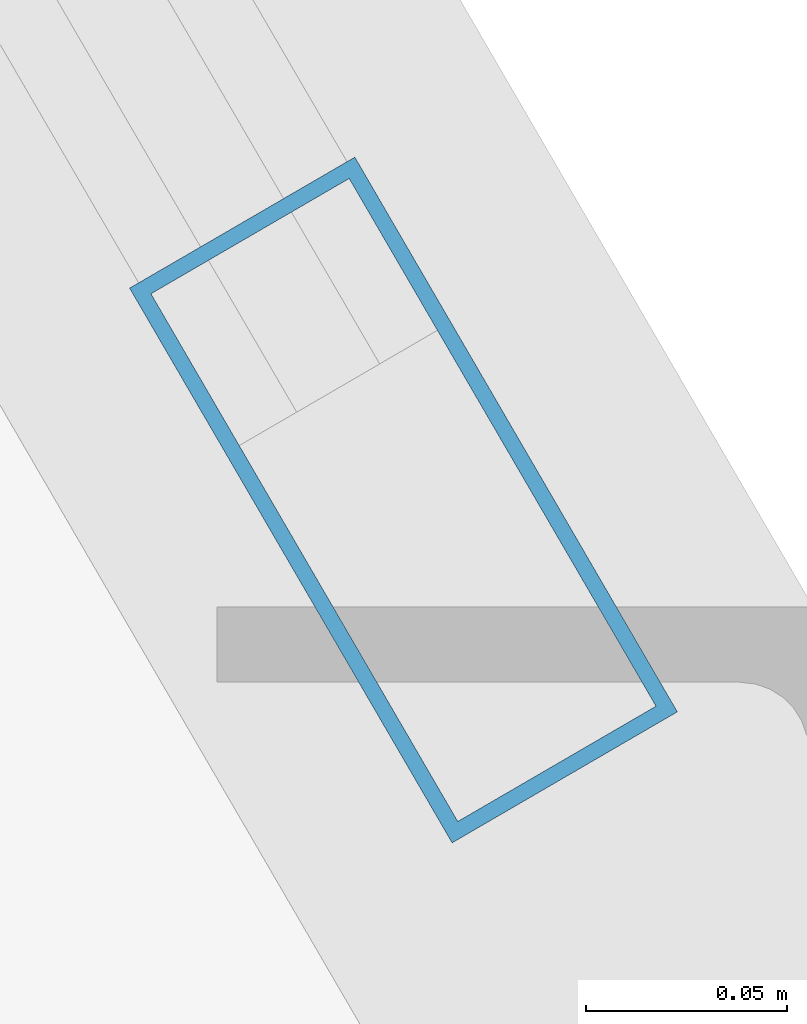
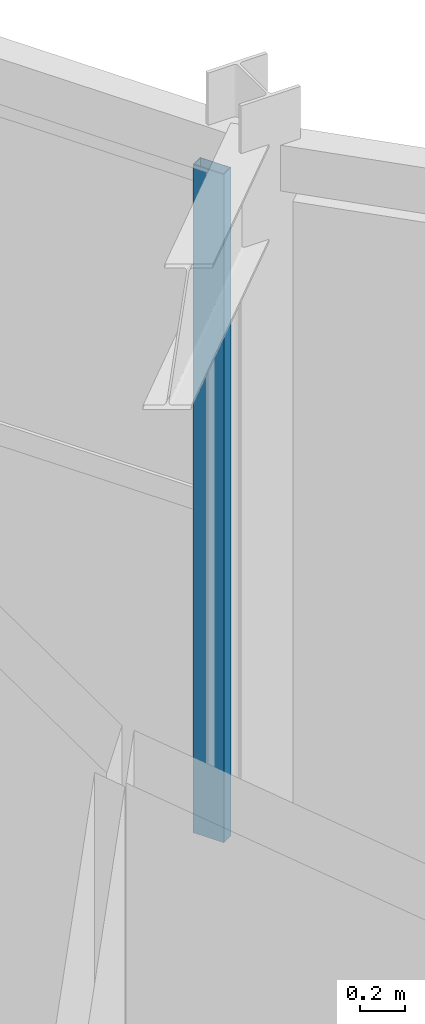
# One storey, part 31 of 147: 1 member, 1 element without a shape of its own.
"""IFC4 building model written with IfcOpenShell, lengths in metres."""

from ifc_helpers import new_model, si_unit, direction, frame, origin, origin_2d, place, context, subcontext, project, spatial, hollow_rectangle, extrude, material, material_profile, profile_set, type_object, element, aggregate, save


model = new_model("IFC4")

# Units and contexts
model_context = context("Model", 3, precision=1e-05, world=origin(), true_north=direction((0.0, 1.0)))
body_context = subcontext(model_context, "Body", "Model", "MODEL_VIEW")
ifc_project = project(units=[si_unit("LENGTHUNIT", "METRE"), si_unit("AREAUNIT", "SQUARE_METRE"), si_unit("VOLUMEUNIT", "CUBIC_METRE"), si_unit("PLANEANGLEUNIT", "RADIAN"), si_unit("MASSUNIT", "GRAM", prefix="KILO")], contexts=[model_context])

# Site, building, storey
site_placement = place(None, origin())
site = spatial("IfcSite", under=ifc_project, at=site_placement, CompositionType="ELEMENT")
building_placement = place(site_placement, origin())
building = spatial("IfcBuilding", under=site, at=building_placement, Name="Karori Crest Natural Sciences Institute", CompositionType="ELEMENT")
storey_placement = place(building_placement, frame((0.0, 0.0, 9.10009765625)))
storey = spatial("IfcBuildingStorey", under=building, at=storey_placement, Name="L02", CompositionType="ELEMENT", Elevation=9.10009765625)

# Curtain wall, member
ifc_material = material(Name="Anodised architectural aluminium 6063-T6", Category="aluminium")
curtain_wall_type = type_object("IfcCurtainWallType", Name="CWT-15", PredefinedType="NOTDEFINED", material=ifc_material)
curtain_wall_placement = place(storey_placement, origin())
curtain_wall = element("IfcCurtainWall", 1, at=curtain_wall_placement, inside=storey, type_object=curtain_wall_type, Name="Curtain wall CW-0086", PredefinedType="NOTDEFINED")
ifc_material_profile = material_profile(ifc_material, hollow_rectangle(XDim=0.06494140625, YDim=0.159912109375, WallThickness=0.00390625, at=origin_2d()), Name="CWM160x65x4")
ifc_profile_set = profile_set([ifc_material_profile], Name="Anodised architectural aluminium 6063-T6")
member_type = type_object("IfcMemberType", Name="CWM-01", PredefinedType="MULLION", material=ifc_profile_set)
member_placement = place(storey_placement, frame((49.03955078125, 27.315185546875, 0.0), z_axis=(0.0, 0.0, 1.0), x_axis=(0.864484379326, 0.502659683982, 0.0)))
member = element("IfcMember", 2, at=member_placement, type_object=member_type, Name="CW-0086 mullion 3", PredefinedType="MULLION", context=body_context, shape_type="SweptSolid", body=[
    extrude(hollow_rectangle(XDim=0.06494140625, YDim=0.159912109375, WallThickness=0.00390625, at=origin_2d()), origin(), (0.0, 0.0, 1.0), 3.64990234375),
])
aggregate(curtain_wall, [member])

save(model, "model.ifc")
